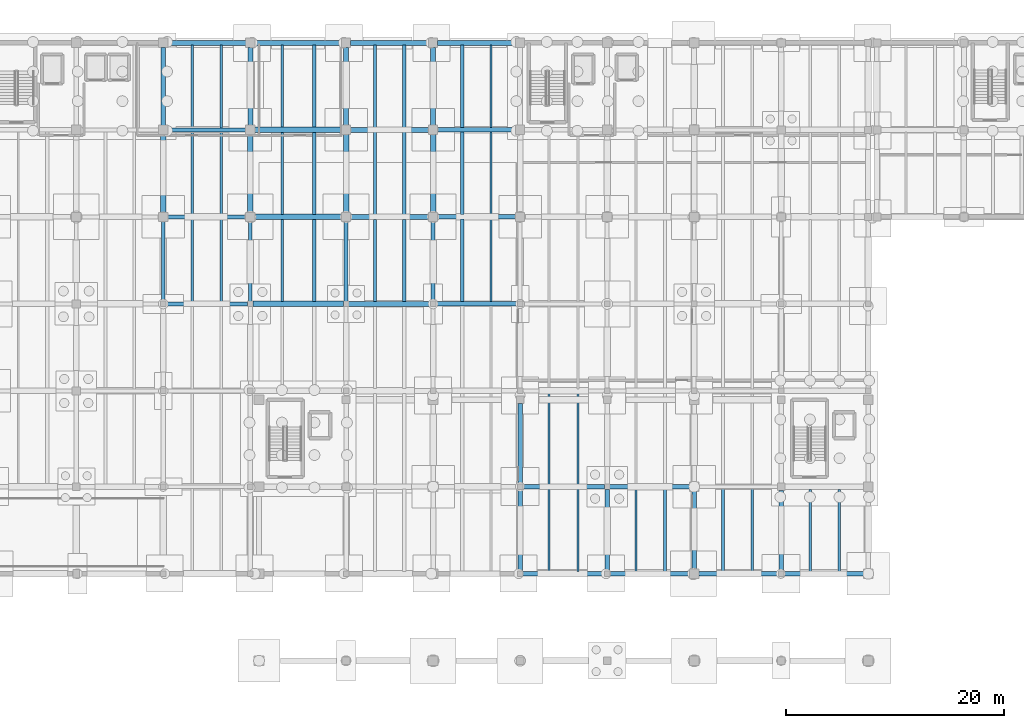
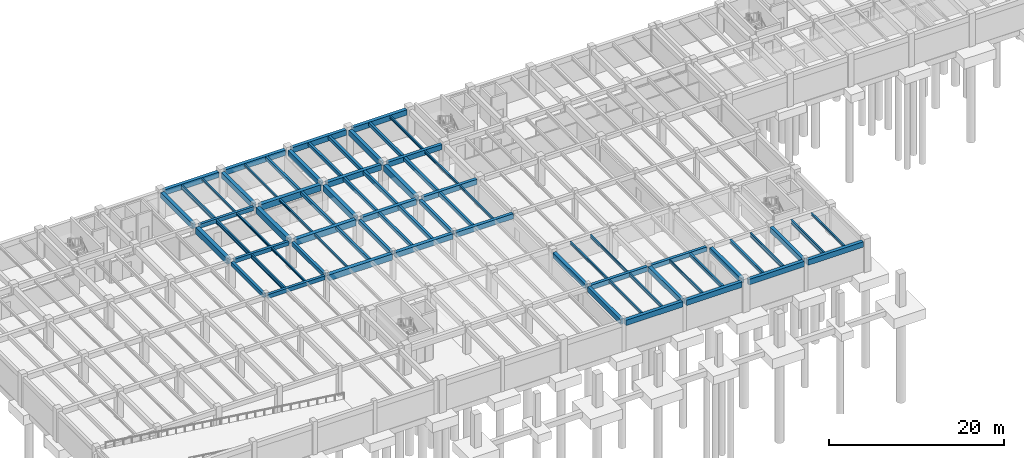
# One storey, part 10 of 25: 73 beams.
"""IFC4 building model written with IfcOpenShell, lengths in metres."""

import ifcopenshell
import ifcopenshell.guid

model = None  # the IFC model being written
_history = None  # IfcOwnerHistory: only IFC2X3 demands one
_inside = {}  # id of a spatial element -> (the spatial element, [elements in it])
_under = {}  # id of a project, library or spatial element -> (it, [spatial elements below it])
_declared = {}  # id of a project -> (the project, [libraries it declares])
_typed = {}  # id of a type object -> (the type object, [elements of that type])
_made_of = {}  # id of a material, layer set ... -> (it, [elements and type objects made of it])


def new_model(schema):
    """Start an empty IFC model of exactly this schema.

    Asked for "IFC4X3", IfcOpenShell would pick the latest addendum, in which some entities
    have other attributes; the version numbers below select the first issue.
    IFC2X3 requires an IfcOwnerHistory on every rooted entity: one is made here for all.
    """
    global model, _history
    if schema == "IFC4X3":
        model = ifcopenshell.file(schema_version=(4, 3, 0, 0))
    else:
        model = ifcopenshell.file(schema=schema)
    _inside.clear()
    _under.clear()
    _declared.clear()
    _typed.clear()
    _made_of.clear()
    _history = None
    if model.schema == "IFC2X3":
        org = make("IfcOrganization", Name="unknown")
        user = make(
            "IfcPersonAndOrganization",
            ThePerson=make("IfcPerson", FamilyName="unknown"),
            TheOrganization=org,
        )
        app = make(
            "IfcApplication",
            ApplicationDeveloper=org,
            Version="unknown",
            ApplicationFullName="unknown",
            ApplicationIdentifier="unknown",
        )
        _history = make(
            "IfcOwnerHistory",
            OwningUser=user,
            OwningApplication=app,
            ChangeAction="ADDED",
            CreationDate=0,
        )
    return model


def make(cls, **values):
    """One entity of the class cls with the attributes given. An attribute that is None is left unset."""
    return model.create_entity(
        cls, **{name: value for name, value in values.items() if value is not None}
    )


def rooted(cls, **values):
    """An entity with a GlobalId (a new one), such as an element, a storey or a relation."""
    return make(cls, GlobalId=ifcopenshell.guid.new(), OwnerHistory=_history, **values)


def si_unit(unit_type, name, prefix=None):
    """IfcSIUnit, for example si_unit("LENGTHUNIT", "METRE", prefix="MILLI")."""
    return make("IfcSIUnit", UnitType=unit_type, Prefix=prefix, Name=name)


def assignment(units):
    """IfcUnitAssignment: the units of a project."""
    return None if units is None else make("IfcUnitAssignment", Units=units)


def point(xyz):
    """IfcCartesianPoint."""
    return None if xyz is None else make("IfcCartesianPoint", Coordinates=xyz)


def direction(xyz):
    """IfcDirection."""
    return None if xyz is None else make("IfcDirection", DirectionRatios=xyz)


def frame(location, z_axis=None, x_axis=None):
    """IfcAxis2Placement3D, a coordinate frame: its origin and axes. An axis left out is left unset."""
    return make(
        "IfcAxis2Placement3D",
        Location=point(location),
        Axis=direction(z_axis),
        RefDirection=direction(x_axis),
    )


def frame_2d(location, x_axis=None):
    """IfcAxis2Placement2D, a coordinate frame in the plane: its origin and x axis."""
    return make(
        "IfcAxis2Placement2D", Location=point(location), RefDirection=direction(x_axis)
    )


def origin():
    """The frame at (0, 0, 0) with its axes left unset."""
    return frame((0.0, 0.0, 0.0))


def origin_2d():
    """The frame at (0, 0) in the plane with its x axis left unset."""
    return frame_2d((0.0, 0.0))


def place(relative_to, where):
    """IfcLocalPlacement: puts the frame where relative to a parent placement (None: the world)."""
    return make(
        "IfcLocalPlacement", PlacementRelTo=relative_to, RelativePlacement=where
    )


def context(
    kind, dimensions, precision=None, world=None, true_north=None, identifier=None
):
    """IfcGeometricRepresentationContext, for example the 3D "Model" context."""
    return make(
        "IfcGeometricRepresentationContext",
        ContextIdentifier=identifier,
        ContextType=kind,
        CoordinateSpaceDimension=dimensions,
        Precision=precision,
        WorldCoordinateSystem=world,
        TrueNorth=true_north,
    )


def subcontext(parent, identifier, kind, view, scale=None):
    """IfcGeometricRepresentationSubContext, for example "Body" below "Model"."""
    return make(
        "IfcGeometricRepresentationSubContext",
        ContextIdentifier=identifier,
        ContextType=kind,
        ParentContext=parent,
        TargetScale=scale,
        TargetView=view,
    )


def project(units=None, contexts=None):
    """IfcProject with its units and contexts."""
    return rooted(
        "IfcProject",
        Name="project",
        RepresentationContexts=contexts,
        UnitsInContext=assignment(units),
    )


def spatial(cls, under=None, at=None, **own):
    """A site, building, storey or space (cls), placed at a placement, below another one or the project."""
    s = rooted(cls, ObjectPlacement=at, **own)
    if under is not None:
        _under.setdefault(under.id(), (under, []))[1].append(s)
    return s


def profile(cls, at=None, kind="AREA", **sizes):
    """A parametric profile (cls). Its sizes go by their IFC names, for example OverallWidth=200.0."""
    return make(cls, ProfileType=kind, Position=at, **sizes)


def rectangle(**sizes):
    """IfcRectangleProfileDef."""
    return profile("IfcRectangleProfileDef", **sizes)


def i_section(**sizes):
    """IfcIShapeProfileDef."""
    return profile("IfcIShapeProfileDef", **sizes)


def extrude(swept, where, along, depth):
    """IfcExtrudedAreaSolid: the profile swept, set in the frame where, extruded along a direction by depth."""
    return make(
        "IfcExtrudedAreaSolid",
        SweptArea=swept,
        Position=where,
        ExtrudedDirection=direction(along),
        Depth=depth,
    )


def shape(context_of_items, identifier, shape_type, items):
    """IfcShapeRepresentation: the items that make up one representation, for example the "Body"."""
    return make(
        "IfcShapeRepresentation",
        ContextOfItems=context_of_items,
        RepresentationIdentifier=identifier,
        RepresentationType=shape_type,
        Items=items,
    )


def material(Name=None, Category=None):
    """IfcMaterial."""
    return make("IfcMaterial", Name=Name, Category=Category)


def material_profile(
    of_material, cross_section, Name=None, Category=None, Priority=None
):
    """IfcMaterialProfile: a cross section and its material."""
    return make(
        "IfcMaterialProfile",
        Name=Name,
        Material=of_material,
        Profile=cross_section,
        Priority=Priority,
        Category=Category,
    )


def profile_set(profiles, Name=None, composite=None):
    """IfcMaterialProfileSet."""
    return make(
        "IfcMaterialProfileSet",
        Name=Name,
        MaterialProfiles=profiles,
        CompositeProfile=composite,
    )


def made_of(thing, what):
    """Note that an element or type object is made of a material, layer set ...; save() writes the relation."""
    if what is not None:
        _made_of.setdefault(what.id(), (what, []))[1].append(thing)
    return thing


def type_object(cls, material=None, **own):
    """A type object (cls), such as IfcWallType, which elements share."""
    return made_of(rooted(cls, **own), material)


def element(
    cls,
    number,
    at=None,
    inside=None,
    cuts=None,
    type_object=None,
    material=None,
    context=None,
    identifier="Body",
    shape_type=None,
    held_by="IfcProductDefinitionShape",
    body=None,
    shapes=None,
    **own,
):
    """One element of the class cls, such as IfcWall. Its Tag is "e" and its number.

    at: its placement. inside: the storey or other place that contains it. cuts: it is an
    opening in that element (IfcRelVoidsElement). A single representation is given by context,
    identifier, shape_type and body (its items); several are given by shapes. held_by: the class
    of the entity that holds the representations. save() writes the other relations.
    """
    e = rooted(cls, Tag="e%d" % number, ObjectPlacement=at, **own)
    if body is not None:
        shapes = [shape(context, identifier, shape_type, body)]
    if shapes is not None:
        e.Representation = make(held_by, Representations=shapes)
    if inside is not None:
        _inside.setdefault(inside.id(), (inside, []))[1].append(e)
    if cuts is not None:
        rooted(
            "IfcRelVoidsElement", RelatingBuildingElement=cuts, RelatedOpeningElement=e
        )
    if type_object is not None:
        _typed.setdefault(type_object.id(), (type_object, []))[1].append(e)
    return made_of(e, material)


def aggregate(whole, parts):
    """IfcRelAggregates: a whole, such as a stair, and the parts it consists of."""
    return rooted("IfcRelAggregates", RelatingObject=whole, RelatedObjects=parts)


def save(model, path):
    """Write the relations noted so far, then the file.

    IfcRelAggregates (storeys below a building ...), IfcRelContainedInSpatialStructure (elements
    in a storey), IfcRelDefinesByType, IfcRelAssociatesMaterial and IfcRelDeclares: one each for
    every whole, place, type object, material and project.
    """
    for whole, parts in _under.values():
        aggregate(whole, parts)
    for where, things in _inside.values():
        rooted(
            "IfcRelContainedInSpatialStructure",
            RelatedElements=things,
            RelatingStructure=where,
        )
    for kind, things in _typed.values():
        rooted("IfcRelDefinesByType", RelatedObjects=things, RelatingType=kind)
    for what, things in _made_of.values():
        rooted("IfcRelAssociatesMaterial", RelatedObjects=things, RelatingMaterial=what)
    for by, libraries in _declared.values():
        rooted("IfcRelDeclares", RelatingContext=by, RelatedDefinitions=libraries)
    model.write(path)


model = new_model("IFC4")

# Units and contexts
model_context = context("Model", 3, precision=1e-05, world=origin(), true_north=direction((0.0, 1.0)))
body_context = subcontext(model_context, "Body", "Model", "MODEL_VIEW")
ifc_project = project(units=[si_unit("LENGTHUNIT", "METRE"), si_unit("AREAUNIT", "SQUARE_METRE"), si_unit("VOLUMEUNIT", "CUBIC_METRE"), si_unit("PLANEANGLEUNIT", "RADIAN"), si_unit("MASSUNIT", "GRAM", prefix="KILO")], contexts=[model_context])

# Site, building, storey
site_placement = place(None, origin())
site = spatial("IfcSite", under=ifc_project, at=site_placement, CompositionType="ELEMENT")
building_placement = place(site_placement, origin())
building = spatial("IfcBuilding", under=site, at=building_placement, Name="Tlaxcora Railside Police Headquarters", CompositionType="ELEMENT")
storey_placement = place(building_placement, frame((0.0, 0.0, -4.199951171875)))
storey = spatial("IfcBuildingStorey", under=building, at=storey_placement, Name="B1", CompositionType="ELEMENT", Elevation=-4.199951171875)

# Beams
ifc_material_1 = material(Name="Concrete C40/50", Category="concrete")
ifc_material_profile_1 = material_profile(ifc_material_1, rectangle(XDim=0.449951171875, YDim=0.75, at=origin_2d()), Name="RC450X750")
ifc_profile_set_1 = profile_set([ifc_material_profile_1], Name="Concrete C40/50")
beam_type_1 = type_object("IfcBeamType", Name="Perimeter Spandrel Beam BM-86", PredefinedType="SPANDREL", material=ifc_profile_set_1)
beam_1_placement = place(storey_placement, frame((70.239990234375, 44.0, 3.405029296875), z_axis=(1.0, 0.0, 0.0), x_axis=(0.0, 1.0, 0.0)))
element("IfcBeam", 1, at=beam_1_placement, inside=storey, type_object=beam_type_1, Name="V5 B1 X-girder Y=44.0", PredefinedType="SPANDREL", context=body_context, shape_type="SweptSolid", body=[
    extrude(rectangle(XDim=0.449951171875, YDim=0.75, at=origin_2d()), origin(), (0.0, 0.0, 1.0), 7.52001953125),
])
for number, where, z_axis, x_axis, name in (
    (2, (78.239990234375, 44.0, 3.405029296875), (1.0, 0.0, 0.0), (0.0, 1.0, 0.0), "V5 B1 X-girder Y=44.0"),
    (3, (86.43994140625, 44.0, 3.405029296875), (1.0, 0.0, 0.0), (0.0, 1.0, 0.0), "V5 B1 X-girder Y=44.0"),
    (4, (94.239990234375, 44.0, 3.405029296875), (1.0, 0.0, 0.0), (0.0, 1.0, 0.0), "V5 B1 X-girder Y=44.0"),
):
    element("IfcBeam", number, at=place(storey_placement, frame(where, z_axis=z_axis, x_axis=x_axis)), inside=storey, type_object=beam_type_1, Name=name, PredefinedType="SPANDREL", context=body_context, shape_type="SweptSolid", body=[
        extrude(rectangle(XDim=0.449951171875, YDim=0.75, at=origin_2d()), origin(), (0.0, 0.0, 1.0), 7.320068359375),
    ])
beam_2_placement = place(storey_placement, frame((37.614990234375, 92.800048828125, 3.405029296875), z_axis=(1.0, 0.0, 0.0), x_axis=(0.0, 1.0, 0.0)))
element("IfcBeam", 5, at=beam_2_placement, inside=storey, type_object=beam_type_1, Name="V5 B1 X-girder Y=92.8", PredefinedType="SPANDREL", context=body_context, shape_type="SweptSolid", body=[
    extrude(rectangle(XDim=0.449951171875, YDim=0.75, at=origin_2d()), origin(), (0.0, 0.0, 1.0), 7.169921875),
])
beam_3_placement = place(storey_placement, frame((45.614990234375, 92.800048828125, 3.405029296875), z_axis=(1.0, 0.0, 0.0), x_axis=(0.0, 1.0, 0.0)))
element("IfcBeam", 6, at=beam_3_placement, inside=storey, type_object=beam_type_1, Name="V5 B1 X-girder Y=92.8", PredefinedType="SPANDREL", context=body_context, shape_type="SweptSolid", body=[
    extrude(rectangle(XDim=0.449951171875, YDim=0.75, at=origin_2d()), origin(), (0.0, 0.0, 1.0), 7.969970703125),
])
for number, where, z_axis, x_axis, name in (
    (7, (54.4150390625, 92.800048828125, 3.405029296875), (1.0, 0.0, 0.0), (0.0, 1.0, 0.0), "V5 B1 X-girder Y=92.8"),
    (8, (62.4150390625, 92.800048828125, 3.405029296875), (1.0, 0.0, 0.0), (0.0, 1.0, 0.0), "V5 B1 X-girder Y=92.8"),
):
    element("IfcBeam", number, at=place(storey_placement, frame(where, z_axis=z_axis, x_axis=x_axis)), inside=storey, type_object=beam_type_1, Name=name, PredefinedType="SPANDREL", context=body_context, shape_type="SweptSolid", body=[
        extrude(rectangle(XDim=0.449951171875, YDim=0.75, at=origin_2d()), origin(), (0.0, 0.0, 1.0), 7.169921875),
    ])
ifc_material_profile_2 = material_profile(ifc_material_1, rectangle(XDim=0.3798828125, YDim=0.60009765625, at=origin_2d()), Name="RC380X600")
ifc_profile_set_2 = profile_set([ifc_material_profile_2], Name="Concrete C40/50")
beam_type_2 = type_object("IfcBeamType", Name="Primary Frame Girder BM-22", PredefinedType="BEAM", material=ifc_profile_set_2)
beam_4_placement = place(storey_placement, frame((78.239990234375, 52.0, 3.47998046875), z_axis=(1.0, 0.0, 0.0), x_axis=(0.0, 1.0, 0.0)))
element("IfcBeam", 9, at=beam_4_placement, inside=storey, type_object=beam_type_2, Name="V5 B1 X-girder Y=52.0", PredefinedType="BEAM", context=body_context, shape_type="SweptSolid", body=[
    extrude(rectangle(XDim=0.3798828125, YDim=0.60009765625, at=origin_2d()), origin(), (0.0, 0.0, 1.0), 7.320068359375),
])
ifc_material_profile_3 = material_profile(ifc_material_1, rectangle(XDim=0.419921875, YDim=0.699951171875, at=origin_2d()), Name="RC420X700")
ifc_profile_set_3 = profile_set([ifc_material_profile_3], Name="Concrete C40/50")
beam_type_3 = type_object("IfcBeamType", Name="Primary Frame Girder BM-35", PredefinedType="BEAM", material=ifc_profile_set_3)
beam_5_placement = place(storey_placement, frame((62.239990234375, 68.800048828125, 3.429931640625), z_axis=(1.0, 0.0, 0.0), x_axis=(0.0, 1.0, 0.0)))
element("IfcBeam", 10, at=beam_5_placement, inside=storey, type_object=beam_type_3, Name="V5 B1 X-girder Y=68.8", PredefinedType="BEAM", context=body_context, shape_type="SweptSolid", body=[
    extrude(rectangle(XDim=0.419921875, YDim=0.699951171875, at=origin_2d()), origin(), (0.0, 0.0, 1.0), 7.52001953125),
])
for number, where, z_axis, x_axis, name in (
    (11, (62.4150390625, 76.800048828125, 3.429931640625), (1.0, 0.0, 0.0), (0.0, 1.0, 0.0), "V5 B1 X-girder Y=76.8"),
    (12, (62.4150390625, 84.800048828125, 3.429931640625), (1.0, 0.0, 0.0), (0.0, 1.0, 0.0), "V5 B1 X-girder Y=84.8"),
):
    element("IfcBeam", number, at=place(storey_placement, frame(where, z_axis=z_axis, x_axis=x_axis)), inside=storey, type_object=beam_type_3, Name=name, PredefinedType="BEAM", context=body_context, shape_type="SweptSolid", body=[
        extrude(rectangle(XDim=0.419921875, YDim=0.699951171875, at=origin_2d()), origin(), (0.0, 0.0, 1.0), 7.169921875),
    ])
beam_6_placement = place(storey_placement, frame((70.0, 44.239990234375, 3.429931640625), z_axis=(0.0, 1.0, 0.0), x_axis=(-1.0, 0.0, 0.0)))
element("IfcBeam", 13, at=beam_6_placement, inside=storey, type_object=beam_type_3, Name="V5 B1 Y-girder X=70.0", PredefinedType="BEAM", context=body_context, shape_type="SweptSolid", body=[
    extrude(rectangle(XDim=0.419921875, YDim=0.699951171875, at=origin_2d()), origin(), (0.0, 0.0, 1.0), 7.52001953125),
])
beam_7_placement = place(storey_placement, frame((70.0, 52.239990234375, 3.429931640625), z_axis=(0.0, 1.0, 0.0), x_axis=(-1.0, 0.0, 0.0)))
element("IfcBeam", 14, at=beam_7_placement, inside=storey, type_object=beam_type_3, Name="V5 B1 Y-girder X=70.0", PredefinedType="BEAM", context=body_context, shape_type="SweptSolid", body=[
    extrude(rectangle(XDim=0.419921875, YDim=0.699951171875, at=origin_2d()), origin(), (0.0, 0.0, 1.0), 7.419921875),
])
beam_8_placement = place(storey_placement, frame((78.0, 44.239990234375, 3.429931640625), z_axis=(0.0, 1.0, 0.0), x_axis=(-1.0, 0.0, 0.0)))
element("IfcBeam", 15, at=beam_8_placement, inside=storey, type_object=beam_type_3, Name="V5 B1 Y-girder X=78.0", PredefinedType="BEAM", context=body_context, shape_type="SweptSolid", body=[
    extrude(rectangle(XDim=0.419921875, YDim=0.699951171875, at=origin_2d()), origin(), (0.0, 0.0, 1.0), 7.52001953125),
])
beam_9_placement = place(storey_placement, frame((86.0, 44.43994140625, 3.429931640625), z_axis=(0.0, 1.0, 0.0), x_axis=(-1.0, 0.0, 0.0)))
element("IfcBeam", 16, at=beam_9_placement, inside=storey, type_object=beam_type_3, Name="V5 B1 Y-girder X=86.0", PredefinedType="BEAM", context=body_context, shape_type="SweptSolid", body=[
    extrude(rectangle(XDim=0.419921875, YDim=0.699951171875, at=origin_2d()), origin(), (0.0, 0.0, 1.0), 7.1201171875),
])
beam_10_placement = place(storey_placement, frame((94.0, 44.239990234375, 3.429931640625), z_axis=(0.0, 1.0, 0.0), x_axis=(-1.0, 0.0, 0.0)))
element("IfcBeam", 17, at=beam_10_placement, inside=storey, type_object=beam_type_3, Name="V5 B1 Y-girder X=94.0", PredefinedType="BEAM", context=body_context, shape_type="SweptSolid", body=[
    extrude(rectangle(XDim=0.419921875, YDim=0.699951171875, at=origin_2d()), origin(), (0.0, 0.0, 1.0), 7.419921875),
])
ifc_material_profile_4 = material_profile(ifc_material_1, rectangle(XDim=0.35009765625, YDim=0.550048828125, at=origin_2d()), Name="RC350X550")
ifc_profile_set_4 = profile_set([ifc_material_profile_4], Name="Concrete C40/50")
beam_type_4 = type_object("IfcBeamType", Name="Primary Frame Girder BM-39", PredefinedType="BEAM", material=ifc_profile_set_4)
beam_11_placement = place(storey_placement, frame((37.43994140625, 68.800048828125, 3.5048828125), z_axis=(1.0, 0.0, 0.0), x_axis=(0.0, 1.0, 0.0)))
element("IfcBeam", 18, at=beam_11_placement, inside=storey, type_object=beam_type_4, Name="V5 B1 X-girder Y=68.8", PredefinedType="BEAM", context=body_context, shape_type="SweptSolid", body=[
    extrude(rectangle(XDim=0.35009765625, YDim=0.550048828125, at=origin_2d()), origin(), (0.0, 0.0, 1.0), 7.52001953125),
])
for number, where, z_axis, x_axis, name in (
    (19, (37.614990234375, 76.800048828125, 3.5048828125), (1.0, 0.0, 0.0), (0.0, 1.0, 0.0), "V5 B1 X-girder Y=76.8"),
    (20, (37.614990234375, 84.800048828125, 3.5048828125), (1.0, 0.0, 0.0), (0.0, 1.0, 0.0), "V5 B1 X-girder Y=84.8"),
):
    element("IfcBeam", number, at=place(storey_placement, frame(where, z_axis=z_axis, x_axis=x_axis)), inside=storey, type_object=beam_type_4, Name=name, PredefinedType="BEAM", context=body_context, shape_type="SweptSolid", body=[
        extrude(rectangle(XDim=0.35009765625, YDim=0.550048828125, at=origin_2d()), origin(), (0.0, 0.0, 1.0), 7.169921875),
    ])
for number, where, z_axis, x_axis, name in (
    (21, (37.199951171875, 69.0400390625, 3.5048828125), (0.0, 1.0, 0.0), (-1.0, 0.0, 0.0), "V5 B1 Y-girder X=37.2"),
    (22, (45.199951171875, 69.0400390625, 3.5048828125), (0.0, 1.0, 0.0), (-1.0, 0.0, 0.0), "V5 B1 Y-girder X=45.2"),
    (23, (54.0, 69.0400390625, 3.5048828125), (0.0, 1.0, 0.0), (-1.0, 0.0, 0.0), "V5 B1 Y-girder X=54.0"),
    (24, (62.0, 69.0400390625, 3.5048828125), (0.0, 1.0, 0.0), (-1.0, 0.0, 0.0), "V5 B1 Y-girder X=62.0"),
):
    element("IfcBeam", number, at=place(storey_placement, frame(where, z_axis=z_axis, x_axis=x_axis)), inside=storey, type_object=beam_type_4, Name=name, PredefinedType="BEAM", context=body_context, shape_type="SweptSolid", body=[
        extrude(rectangle(XDim=0.35009765625, YDim=0.550048828125, at=origin_2d()), origin(), (0.0, 0.0, 1.0), 7.344970703125),
    ])
ifc_material_profile_5 = material_profile(ifc_material_1, rectangle(XDim=0.39990234375, YDim=0.64990234375, at=origin_2d()), Name="RC400X650")
ifc_profile_set_5 = profile_set([ifc_material_profile_5], Name="Concrete C40/50")
beam_type_5 = type_object("IfcBeamType", Name="Primary Frame Girder BM-41", PredefinedType="BEAM", material=ifc_profile_set_5)
beam_12_placement = place(storey_placement, frame((70.239990234375, 52.0, 3.454833984375), z_axis=(1.0, 0.0, 0.0), x_axis=(0.0, 1.0, 0.0)))
element("IfcBeam", 25, at=beam_12_placement, inside=storey, type_object=beam_type_5, Name="V5 B1 X-girder Y=52.0", PredefinedType="BEAM", context=body_context, shape_type="SweptSolid", body=[
    extrude(rectangle(XDim=0.39990234375, YDim=0.64990234375, at=origin_2d()), origin(), (0.0, 0.0, 1.0), 7.52001953125),
])
ifc_material_profile_6 = material_profile(ifc_material_1, rectangle(XDim=0.5, YDim=0.85009765625, at=origin_2d()), Name="RC500X850")
ifc_profile_set_6 = profile_set([ifc_material_profile_6], Name="Concrete C40/50")
beam_type_6 = type_object("IfcBeamType", Name="Primary Frame Girder BM-64", PredefinedType="BEAM", material=ifc_profile_set_6)
beam_13_placement = place(storey_placement, frame((45.43994140625, 68.800048828125, 3.35498046875), z_axis=(1.0, 0.0, 0.0), x_axis=(0.0, 1.0, 0.0)))
element("IfcBeam", 26, at=beam_13_placement, inside=storey, type_object=beam_type_6, Name="V5 B1 X-girder Y=68.8", PredefinedType="BEAM", context=body_context, shape_type="SweptSolid", body=[
    extrude(rectangle(XDim=0.5, YDim=0.85009765625, at=origin_2d()), origin(), (0.0, 0.0, 1.0), 8.320068359375),
])
for number, where, z_axis, x_axis, name in (
    (27, (45.614990234375, 76.800048828125, 3.35498046875), (1.0, 0.0, 0.0), (0.0, 1.0, 0.0), "V5 B1 X-girder Y=76.8"),
    (28, (45.614990234375, 84.800048828125, 3.35498046875), (1.0, 0.0, 0.0), (0.0, 1.0, 0.0), "V5 B1 X-girder Y=84.8"),
):
    element("IfcBeam", number, at=place(storey_placement, frame(where, z_axis=z_axis, x_axis=x_axis)), inside=storey, type_object=beam_type_6, Name=name, PredefinedType="BEAM", context=body_context, shape_type="SweptSolid", body=[
        extrude(rectangle(XDim=0.5, YDim=0.85009765625, at=origin_2d()), origin(), (0.0, 0.0, 1.0), 7.969970703125),
    ])
for number, where, z_axis, x_axis, name in (
    (29, (37.199951171875, 77.215087890625, 3.35498046875), (0.0, 1.0, 0.0), (-1.0, 0.0, 0.0), "V5 B1 Y-girder X=37.2"),
    (30, (45.199951171875, 77.215087890625, 3.35498046875), (0.0, 1.0, 0.0), (-1.0, 0.0, 0.0), "V5 B1 Y-girder X=45.2"),
    (31, (54.0, 77.215087890625, 3.35498046875), (0.0, 1.0, 0.0), (-1.0, 0.0, 0.0), "V5 B1 Y-girder X=54.0"),
    (32, (62.0, 77.215087890625, 3.35498046875), (0.0, 1.0, 0.0), (-1.0, 0.0, 0.0), "V5 B1 Y-girder X=62.0"),
):
    element("IfcBeam", number, at=place(storey_placement, frame(where, z_axis=z_axis, x_axis=x_axis)), inside=storey, type_object=beam_type_6, Name=name, PredefinedType="BEAM", context=body_context, shape_type="SweptSolid", body=[
        extrude(rectangle(XDim=0.5, YDim=0.85009765625, at=origin_2d()), origin(), (0.0, 0.0, 1.0), 7.169921875),
    ])
ifc_material_profile_7 = material_profile(ifc_material_1, rectangle(XDim=0.449951171875, YDim=0.75, at=origin_2d()), Name="RC450X750")
ifc_profile_set_7 = profile_set([ifc_material_profile_7], Name="Concrete C40/50")
beam_type_7 = type_object("IfcBeamType", Name="Primary Frame Girder BM-73", PredefinedType="BEAM", material=ifc_profile_set_7)
beam_14_placement = place(storey_placement, frame((54.239990234375, 68.800048828125, 3.405029296875), z_axis=(1.0, 0.0, 0.0), x_axis=(0.0, 1.0, 0.0)))
element("IfcBeam", 33, at=beam_14_placement, inside=storey, type_object=beam_type_7, Name="V5 B1 X-girder Y=68.8", PredefinedType="BEAM", context=body_context, shape_type="SweptSolid", body=[
    extrude(rectangle(XDim=0.449951171875, YDim=0.75, at=origin_2d()), origin(), (0.0, 0.0, 1.0), 7.52001953125),
])
for number, where, z_axis, x_axis, name in (
    (34, (54.4150390625, 76.800048828125, 3.405029296875), (1.0, 0.0, 0.0), (0.0, 1.0, 0.0), "V5 B1 X-girder Y=76.8"),
    (35, (54.4150390625, 84.800048828125, 3.405029296875), (1.0, 0.0, 0.0), (0.0, 1.0, 0.0), "V5 B1 X-girder Y=84.8"),
    (36, (37.199951171875, 85.215087890625, 3.405029296875), (0.0, 1.0, 0.0), (-1.0, 0.0, 0.0), "V5 B1 Y-girder X=37.2"),
    (37, (45.199951171875, 85.215087890625, 3.405029296875), (0.0, 1.0, 0.0), (-1.0, 0.0, 0.0), "V5 B1 Y-girder X=45.2"),
    (38, (54.0, 85.215087890625, 3.405029296875), (0.0, 1.0, 0.0), (-1.0, 0.0, 0.0), "V5 B1 Y-girder X=54.0"),
    (39, (62.0, 85.215087890625, 3.405029296875), (0.0, 1.0, 0.0), (-1.0, 0.0, 0.0), "V5 B1 Y-girder X=62.0"),
):
    element("IfcBeam", number, at=place(storey_placement, frame(where, z_axis=z_axis, x_axis=x_axis)), inside=storey, type_object=beam_type_7, Name=name, PredefinedType="BEAM", context=body_context, shape_type="SweptSolid", body=[
        extrude(rectangle(XDim=0.449951171875, YDim=0.75, at=origin_2d()), origin(), (0.0, 0.0, 1.0), 7.169921875),
    ])
ifc_material_2 = material(Name="Concrete C35/45", Category="concrete")
ifc_material_profile_8 = material_profile(ifc_material_2, rectangle(XDim=0.300048828125, YDim=0.449951171875, at=origin_2d()), Name="RC300X450")
ifc_profile_set_8 = profile_set([ifc_material_profile_8], Name="Concrete C35/45")
beam_type_8 = type_object("IfcBeamType", Name="Secondary Floor Joist BM-27", PredefinedType="JOIST", material=ifc_profile_set_8)
beam_15_placement = place(storey_placement, frame((51.066650390625, 69.0419921875, 3.554931640625), z_axis=(0.0, 1.0, 0.0), x_axis=(-1.0, 0.0, 0.0)))
element("IfcBeam", 40, at=beam_15_placement, inside=storey, type_object=beam_type_8, Name="V5 B1 floor joist X=51.07", PredefinedType="JOIST", context=body_context, shape_type="SweptSolid", body=[
    extrude(rectangle(XDim=0.300048828125, YDim=0.449951171875, at=origin_2d()), origin(), (0.0, 0.0, 1.0), 7.51611328125),
])
beam_16_placement = place(storey_placement, frame((56.666748046875, 69.01708984375, 3.554931640625), z_axis=(0.0, 1.0, 0.0), x_axis=(-1.0, 0.0, 0.0)))
element("IfcBeam", 41, at=beam_16_placement, inside=storey, type_object=beam_type_8, Name="V5 B1 floor joist X=56.67", PredefinedType="JOIST", context=body_context, shape_type="SweptSolid", body=[
    extrude(rectangle(XDim=0.300048828125, YDim=0.449951171875, at=origin_2d()), origin(), (0.0, 0.0, 1.0), 7.56591796875),
])
beam_17_placement = place(storey_placement, frame((51.066650390625, 77.0419921875, 3.554931640625), z_axis=(0.0, 1.0, 0.0), x_axis=(-1.0, 0.0, 0.0)))
element("IfcBeam", 42, at=beam_17_placement, inside=storey, type_object=beam_type_8, Name="V5 B1 floor joist X=51.07", PredefinedType="JOIST", context=body_context, shape_type="SweptSolid", body=[
    extrude(rectangle(XDim=0.300048828125, YDim=0.449951171875, at=origin_2d()), origin(), (0.0, 0.0, 1.0), 7.51611328125),
])
beam_18_placement = place(storey_placement, frame((56.666748046875, 77.01708984375, 3.554931640625), z_axis=(0.0, 1.0, 0.0), x_axis=(-1.0, 0.0, 0.0)))
element("IfcBeam", 43, at=beam_18_placement, inside=storey, type_object=beam_type_8, Name="V5 B1 floor joist X=56.67", PredefinedType="JOIST", context=body_context, shape_type="SweptSolid", body=[
    extrude(rectangle(XDim=0.300048828125, YDim=0.449951171875, at=origin_2d()), origin(), (0.0, 0.0, 1.0), 7.56591796875),
])
beam_19_placement = place(storey_placement, frame((51.066650390625, 85.0419921875, 3.554931640625), z_axis=(0.0, 1.0, 0.0), x_axis=(-1.0, 0.0, 0.0)))
element("IfcBeam", 44, at=beam_19_placement, inside=storey, type_object=beam_type_8, Name="V5 B1 floor joist X=51.07", PredefinedType="JOIST", context=body_context, shape_type="SweptSolid", body=[
    extrude(rectangle(XDim=0.300048828125, YDim=0.449951171875, at=origin_2d()), origin(), (0.0, 0.0, 1.0), 7.541015625),
])
beam_20_placement = place(storey_placement, frame((56.666748046875, 85.01708984375, 3.554931640625), z_axis=(0.0, 1.0, 0.0), x_axis=(-1.0, 0.0, 0.0)))
element("IfcBeam", 45, at=beam_20_placement, inside=storey, type_object=beam_type_8, Name="V5 B1 floor joist X=56.67", PredefinedType="JOIST", context=body_context, shape_type="SweptSolid", body=[
    extrude(rectangle(XDim=0.300048828125, YDim=0.449951171875, at=origin_2d()), origin(), (0.0, 0.0, 1.0), 7.56591796875),
])
ifc_material_3 = material(Name="Steel ASTM A992 Grade 50", Category="steel")
ifc_material_profile_9 = material_profile(ifc_material_3, i_section(OverallWidth=0.280029296875, OverallDepth=0.4619140625, WebThickness=0.0107421875, FlangeThickness=0.017333984375, at=origin_2d()), Name="W18X76")
ifc_profile_set_9 = profile_set([ifc_material_profile_9], Name="Steel ASTM A992 Grade 50")
beam_type_9 = type_object("IfcBeamType", Name="Secondary Floor Joist BM-44", PredefinedType="JOIST", material=ifc_profile_set_9)
beam_21_placement = place(storey_placement, frame((83.333251953125, 44.217041015625, 3.549072265625), z_axis=(0.0, 1.0, 0.0), x_axis=(-1.0, 0.0, 0.0)))
element("IfcBeam", 46, at=beam_21_placement, inside=storey, type_object=beam_type_9, Name="V5 B1 floor joist X=83.33", PredefinedType="JOIST", context=body_context, shape_type="SweptSolid", body=[
    extrude(i_section(OverallWidth=0.280029296875, OverallDepth=0.4619140625, WebThickness=0.0107421875, FlangeThickness=0.017333984375, at=origin_2d()), origin(), (0.0, 0.0, 1.0), 7.60107421875),
])
beam_22_placement = place(storey_placement, frame((88.666748046875, 44.217041015625, 3.549072265625), z_axis=(0.0, 1.0, 0.0), x_axis=(-1.0, 0.0, 0.0)))
element("IfcBeam", 47, at=beam_22_placement, inside=storey, type_object=beam_type_9, Name="V5 B1 floor joist X=88.67", PredefinedType="JOIST", context=body_context, shape_type="SweptSolid", body=[
    extrude(i_section(OverallWidth=0.280029296875, OverallDepth=0.4619140625, WebThickness=0.0107421875, FlangeThickness=0.017333984375, at=origin_2d()), origin(), (0.0, 0.0, 1.0), 7.615966796875),
])
ifc_material_profile_10 = material_profile(ifc_material_3, i_section(OverallWidth=0.2041015625, OverallDepth=0.35009765625, WebThickness=0.008544921875, FlangeThickness=0.01513671875, at=origin_2d()), Name="W14X48")
ifc_profile_set_10 = profile_set([ifc_material_profile_10], Name="Steel ASTM A992 Grade 50")
beam_type_10 = type_object("IfcBeamType", Name="Secondary Floor Joist BM-65", PredefinedType="JOIST", material=ifc_profile_set_10)
beam_23_placement = place(storey_placement, frame((72.666748046875, 44.217041015625, 3.60498046875), z_axis=(0.0, 1.0, 0.0), x_axis=(-1.0, 0.0, 0.0)))
element("IfcBeam", 48, at=beam_23_placement, inside=storey, type_object=beam_type_10, Name="V5 B1 floor joist X=72.67", PredefinedType="JOIST", context=body_context, shape_type="SweptSolid", body=[
    extrude(i_section(OverallWidth=0.2041015625, OverallDepth=0.35009765625, WebThickness=0.008544921875, FlangeThickness=0.01513671875, at=origin_2d()), origin(), (0.0, 0.0, 1.0), 7.591064453125),
])
beam_24_placement = place(storey_placement, frame((72.666748046875, 52.19189453125, 3.60498046875), z_axis=(0.0, 1.0, 0.0), x_axis=(-1.0, 0.0, 0.0)))
element("IfcBeam", 49, at=beam_24_placement, inside=storey, type_object=beam_type_10, Name="V5 B1 floor joist X=72.67", PredefinedType="JOIST", context=body_context, shape_type="SweptSolid", body=[
    extrude(i_section(OverallWidth=0.2041015625, OverallDepth=0.35009765625, WebThickness=0.008544921875, FlangeThickness=0.01513671875, at=origin_2d()), origin(), (0.0, 0.0, 1.0), 8.416015625),
])
for number, where, z_axis, x_axis, name in (
    (50, (67.333251953125, 69.001953125, 3.60498046875), (0.0, 1.0, 0.0), (-1.0, 0.0, 0.0), "V5 B1 floor joist X=67.33"),
    (51, (67.333251953125, 77.001953125, 3.60498046875), (0.0, 1.0, 0.0), (-1.0, 0.0, 0.0), "V5 B1 floor joist X=67.33"),
):
    element("IfcBeam", number, at=place(storey_placement, frame(where, z_axis=z_axis, x_axis=x_axis)), inside=storey, type_object=beam_type_10, Name=name, PredefinedType="JOIST", context=body_context, shape_type="SweptSolid", body=[
        extrude(i_section(OverallWidth=0.2041015625, OverallDepth=0.35009765625, WebThickness=0.008544921875, FlangeThickness=0.01513671875, at=origin_2d()), origin(), (0.0, 0.0, 1.0), 7.595947265625),
    ])
beam_25_placement = place(storey_placement, frame((67.333251953125, 85.001953125, 3.60498046875), z_axis=(0.0, 1.0, 0.0), x_axis=(-1.0, 0.0, 0.0)))
element("IfcBeam", 52, at=beam_25_placement, inside=storey, type_object=beam_type_10, Name="V5 B1 floor joist X=67.33", PredefinedType="JOIST", context=body_context, shape_type="SweptSolid", body=[
    extrude(i_section(OverallWidth=0.2041015625, OverallDepth=0.35009765625, WebThickness=0.008544921875, FlangeThickness=0.01513671875, at=origin_2d()), origin(), (0.0, 0.0, 1.0), 7.5810546875),
])
ifc_material_profile_11 = material_profile(ifc_material_3, i_section(OverallWidth=0.180908203125, OverallDepth=0.4169921875, WebThickness=0.010009765625, FlangeThickness=0.018310546875, at=origin_2d()), Name="W16X57")
ifc_profile_set_11 = profile_set([ifc_material_profile_11], Name="Steel ASTM A992 Grade 50")
beam_type_11 = type_object("IfcBeamType", Name="Secondary Floor Joist BM-84", PredefinedType="JOIST", material=ifc_profile_set_11)
beam_26_placement = place(storey_placement, frame((75.333251953125, 44.217041015625, 3.571533203125), z_axis=(0.0, 1.0, 0.0), x_axis=(-1.0, 0.0, 0.0)))
element("IfcBeam", 53, at=beam_26_placement, inside=storey, type_object=beam_type_11, Name="V5 B1 floor joist X=75.33", PredefinedType="JOIST", context=body_context, shape_type="SweptSolid", body=[
    extrude(i_section(OverallWidth=0.180908203125, OverallDepth=0.4169921875, WebThickness=0.010009765625, FlangeThickness=0.018310546875, at=origin_2d()), origin(), (0.0, 0.0, 1.0), 7.591064453125),
])
beam_27_placement = place(storey_placement, frame((80.666748046875, 44.217041015625, 3.571533203125), z_axis=(0.0, 1.0, 0.0), x_axis=(-1.0, 0.0, 0.0)))
element("IfcBeam", 54, at=beam_27_placement, inside=storey, type_object=beam_type_11, Name="V5 B1 floor joist X=80.67", PredefinedType="JOIST", context=body_context, shape_type="SweptSolid", body=[
    extrude(i_section(OverallWidth=0.180908203125, OverallDepth=0.4169921875, WebThickness=0.010009765625, FlangeThickness=0.018310546875, at=origin_2d()), origin(), (0.0, 0.0, 1.0), 7.60107421875),
])
beam_28_placement = place(storey_placement, frame((75.333251953125, 52.19189453125, 3.571533203125), z_axis=(0.0, 1.0, 0.0), x_axis=(-1.0, 0.0, 0.0)))
element("IfcBeam", 55, at=beam_28_placement, inside=storey, type_object=beam_type_11, Name="V5 B1 floor joist X=75.33", PredefinedType="JOIST", context=body_context, shape_type="SweptSolid", body=[
    extrude(i_section(OverallWidth=0.180908203125, OverallDepth=0.4169921875, WebThickness=0.010009765625, FlangeThickness=0.018310546875, at=origin_2d()), origin(), (0.0, 0.0, 1.0), 8.416015625),
])
ifc_material_profile_12 = material_profile(ifc_material_2, rectangle(XDim=0.320068359375, YDim=0.5, at=origin_2d()), Name="RC320X500")
ifc_profile_set_12 = profile_set([ifc_material_profile_12], Name="Concrete C35/45")
beam_type_12 = type_object("IfcBeamType", Name="Secondary Floor Joist BM-88", PredefinedType="JOIST", material=ifc_profile_set_12)
beam_29_placement = place(storey_placement, frame((59.333251953125, 69.01708984375, 3.530029296875), z_axis=(0.0, 1.0, 0.0), x_axis=(-1.0, 0.0, 0.0)))
element("IfcBeam", 56, at=beam_29_placement, inside=storey, type_object=beam_type_12, Name="V5 B1 floor joist X=59.33", PredefinedType="JOIST", context=body_context, shape_type="SweptSolid", body=[
    extrude(rectangle(XDim=0.320068359375, YDim=0.5, at=origin_2d()), origin(), (0.0, 0.0, 1.0), 7.56591796875),
])
beam_30_placement = place(storey_placement, frame((64.666748046875, 69.001953125, 3.530029296875), z_axis=(0.0, 1.0, 0.0), x_axis=(-1.0, 0.0, 0.0)))
element("IfcBeam", 57, at=beam_30_placement, inside=storey, type_object=beam_type_12, Name="V5 B1 floor joist X=64.67", PredefinedType="JOIST", context=body_context, shape_type="SweptSolid", body=[
    extrude(rectangle(XDim=0.320068359375, YDim=0.5, at=origin_2d()), origin(), (0.0, 0.0, 1.0), 7.595947265625),
])
beam_31_placement = place(storey_placement, frame((59.333251953125, 77.01708984375, 3.530029296875), z_axis=(0.0, 1.0, 0.0), x_axis=(-1.0, 0.0, 0.0)))
element("IfcBeam", 58, at=beam_31_placement, inside=storey, type_object=beam_type_12, Name="V5 B1 floor joist X=59.33", PredefinedType="JOIST", context=body_context, shape_type="SweptSolid", body=[
    extrude(rectangle(XDim=0.320068359375, YDim=0.5, at=origin_2d()), origin(), (0.0, 0.0, 1.0), 7.56591796875),
])
beam_32_placement = place(storey_placement, frame((64.666748046875, 77.001953125, 3.530029296875), z_axis=(0.0, 1.0, 0.0), x_axis=(-1.0, 0.0, 0.0)))
element("IfcBeam", 59, at=beam_32_placement, inside=storey, type_object=beam_type_12, Name="V5 B1 floor joist X=64.67", PredefinedType="JOIST", context=body_context, shape_type="SweptSolid", body=[
    extrude(rectangle(XDim=0.320068359375, YDim=0.5, at=origin_2d()), origin(), (0.0, 0.0, 1.0), 7.595947265625),
])
beam_33_placement = place(storey_placement, frame((59.333251953125, 85.01708984375, 3.530029296875), z_axis=(0.0, 1.0, 0.0), x_axis=(-1.0, 0.0, 0.0)))
element("IfcBeam", 60, at=beam_33_placement, inside=storey, type_object=beam_type_12, Name="V5 B1 floor joist X=59.33", PredefinedType="JOIST", context=body_context, shape_type="SweptSolid", body=[
    extrude(rectangle(XDim=0.320068359375, YDim=0.5, at=origin_2d()), origin(), (0.0, 0.0, 1.0), 7.56591796875),
])
beam_34_placement = place(storey_placement, frame((64.666748046875, 85.001953125, 3.530029296875), z_axis=(0.0, 1.0, 0.0), x_axis=(-1.0, 0.0, 0.0)))
element("IfcBeam", 61, at=beam_34_placement, inside=storey, type_object=beam_type_12, Name="V5 B1 floor joist X=64.67", PredefinedType="JOIST", context=body_context, shape_type="SweptSolid", body=[
    extrude(rectangle(XDim=0.320068359375, YDim=0.5, at=origin_2d()), origin(), (0.0, 0.0, 1.0), 7.5810546875),
])
ifc_material_profile_13 = material_profile(ifc_material_3, i_section(OverallWidth=0.202880859375, OverallDepth=0.302978515625, WebThickness=0.007568359375, FlangeThickness=0.01318359375, at=origin_2d()), Name="W12X40")
ifc_profile_set_13 = profile_set([ifc_material_profile_13], Name="Steel ASTM A992 Grade 50")
beam_type_13 = type_object("IfcBeamType", Name="Secondary Floor Joist BM-96", PredefinedType="JOIST", material=ifc_profile_set_13)
beam_35_placement = place(storey_placement, frame((99.333251953125, 44.217041015625, 3.62841796875), z_axis=(0.0, 1.0, 0.0), x_axis=(-1.0, 0.0, 0.0)))
element("IfcBeam", 62, at=beam_35_placement, inside=storey, type_object=beam_type_13, Name="V5 B1 floor joist X=99.33", PredefinedType="JOIST", context=body_context, shape_type="SweptSolid", body=[
    extrude(i_section(OverallWidth=0.202880859375, OverallDepth=0.302978515625, WebThickness=0.007568359375, FlangeThickness=0.01318359375, at=origin_2d()), origin(), (0.0, 0.0, 1.0), 7.541015625),
])
beam_36_placement = place(storey_placement, frame((42.533203125, 68.967041015625, 3.62841796875), z_axis=(0.0, 1.0, 0.0), x_axis=(-1.0, 0.0, 0.0)))
element("IfcBeam", 63, at=beam_36_placement, inside=storey, type_object=beam_type_13, Name="V5 B1 floor joist X=42.53", PredefinedType="JOIST", context=body_context, shape_type="SweptSolid", body=[
    extrude(i_section(OverallWidth=0.202880859375, OverallDepth=0.302978515625, WebThickness=0.007568359375, FlangeThickness=0.01318359375, at=origin_2d()), origin(), (0.0, 0.0, 1.0), 7.666015625),
])
beam_37_placement = place(storey_placement, frame((48.13330078125, 69.0419921875, 3.62841796875), z_axis=(0.0, 1.0, 0.0), x_axis=(-1.0, 0.0, 0.0)))
element("IfcBeam", 64, at=beam_37_placement, inside=storey, type_object=beam_type_13, Name="V5 B1 floor joist X=48.13", PredefinedType="JOIST", context=body_context, shape_type="SweptSolid", body=[
    extrude(i_section(OverallWidth=0.202880859375, OverallDepth=0.302978515625, WebThickness=0.007568359375, FlangeThickness=0.01318359375, at=origin_2d()), origin(), (0.0, 0.0, 1.0), 7.51611328125),
])
beam_38_placement = place(storey_placement, frame((42.533203125, 76.967041015625, 3.62841796875), z_axis=(0.0, 1.0, 0.0), x_axis=(-1.0, 0.0, 0.0)))
element("IfcBeam", 65, at=beam_38_placement, inside=storey, type_object=beam_type_13, Name="V5 B1 floor joist X=42.53", PredefinedType="JOIST", context=body_context, shape_type="SweptSolid", body=[
    extrude(i_section(OverallWidth=0.202880859375, OverallDepth=0.302978515625, WebThickness=0.007568359375, FlangeThickness=0.01318359375, at=origin_2d()), origin(), (0.0, 0.0, 1.0), 7.666015625),
])
beam_39_placement = place(storey_placement, frame((48.13330078125, 77.0419921875, 3.62841796875), z_axis=(0.0, 1.0, 0.0), x_axis=(-1.0, 0.0, 0.0)))
element("IfcBeam", 66, at=beam_39_placement, inside=storey, type_object=beam_type_13, Name="V5 B1 floor joist X=48.13", PredefinedType="JOIST", context=body_context, shape_type="SweptSolid", body=[
    extrude(i_section(OverallWidth=0.202880859375, OverallDepth=0.302978515625, WebThickness=0.007568359375, FlangeThickness=0.01318359375, at=origin_2d()), origin(), (0.0, 0.0, 1.0), 7.51611328125),
])
beam_40_placement = place(storey_placement, frame((42.533203125, 84.967041015625, 3.62841796875), z_axis=(0.0, 1.0, 0.0), x_axis=(-1.0, 0.0, 0.0)))
element("IfcBeam", 67, at=beam_40_placement, inside=storey, type_object=beam_type_13, Name="V5 B1 floor joist X=42.53", PredefinedType="JOIST", context=body_context, shape_type="SweptSolid", body=[
    extrude(i_section(OverallWidth=0.202880859375, OverallDepth=0.302978515625, WebThickness=0.007568359375, FlangeThickness=0.01318359375, at=origin_2d()), origin(), (0.0, 0.0, 1.0), 7.615966796875),
])
beam_41_placement = place(storey_placement, frame((48.13330078125, 85.0419921875, 3.62841796875), z_axis=(0.0, 1.0, 0.0), x_axis=(-1.0, 0.0, 0.0)))
element("IfcBeam", 68, at=beam_41_placement, inside=storey, type_object=beam_type_13, Name="V5 B1 floor joist X=48.13", PredefinedType="JOIST", context=body_context, shape_type="SweptSolid", body=[
    extrude(i_section(OverallWidth=0.202880859375, OverallDepth=0.302978515625, WebThickness=0.007568359375, FlangeThickness=0.01318359375, at=origin_2d()), origin(), (0.0, 0.0, 1.0), 7.541015625),
])
ifc_material_profile_14 = material_profile(ifc_material_3, i_section(OverallWidth=0.214111328125, OverallDepth=0.549072265625, WebThickness=0.0146484375, FlangeThickness=0.023681640625, at=origin_2d()), Name="W21X93")
ifc_profile_set_14 = profile_set([ifc_material_profile_14], Name="Steel ASTM A992 Grade 50")
beam_type_14 = type_object("IfcBeamType", Name="Secondary Floor Joist BM-97", PredefinedType="JOIST", material=ifc_profile_set_14)
beam_42_placement = place(storey_placement, frame((91.333251953125, 44.217041015625, 3.50537109375), z_axis=(0.0, 1.0, 0.0), x_axis=(-1.0, 0.0, 0.0)))
element("IfcBeam", 69, at=beam_42_placement, inside=storey, type_object=beam_type_14, Name="V5 B1 floor joist X=91.33", PredefinedType="JOIST", context=body_context, shape_type="SweptSolid", body=[
    extrude(i_section(OverallWidth=0.214111328125, OverallDepth=0.549072265625, WebThickness=0.0146484375, FlangeThickness=0.023681640625, at=origin_2d()), origin(), (0.0, 0.0, 1.0), 7.615966796875),
])
beam_43_placement = place(storey_placement, frame((96.666748046875, 44.217041015625, 3.50537109375), z_axis=(0.0, 1.0, 0.0), x_axis=(-1.0, 0.0, 0.0)))
element("IfcBeam", 70, at=beam_43_placement, inside=storey, type_object=beam_type_14, Name="V5 B1 floor joist X=96.67", PredefinedType="JOIST", context=body_context, shape_type="SweptSolid", body=[
    extrude(i_section(OverallWidth=0.214111328125, OverallDepth=0.549072265625, WebThickness=0.0146484375, FlangeThickness=0.023681640625, at=origin_2d()), origin(), (0.0, 0.0, 1.0), 7.541015625),
])
for number, where, z_axis, x_axis, name in (
    (71, (39.86669921875, 68.967041015625, 3.50537109375), (0.0, 1.0, 0.0), (-1.0, 0.0, 0.0), "V5 B1 floor joist X=39.87"),
    (72, (39.86669921875, 76.967041015625, 3.50537109375), (0.0, 1.0, 0.0), (-1.0, 0.0, 0.0), "V5 B1 floor joist X=39.87"),
):
    element("IfcBeam", number, at=place(storey_placement, frame(where, z_axis=z_axis, x_axis=x_axis)), inside=storey, type_object=beam_type_14, Name=name, PredefinedType="JOIST", context=body_context, shape_type="SweptSolid", body=[
        extrude(i_section(OverallWidth=0.214111328125, OverallDepth=0.549072265625, WebThickness=0.0146484375, FlangeThickness=0.023681640625, at=origin_2d()), origin(), (0.0, 0.0, 1.0), 7.666015625),
    ])
beam_44_placement = place(storey_placement, frame((39.86669921875, 84.967041015625, 3.50537109375), z_axis=(0.0, 1.0, 0.0), x_axis=(-1.0, 0.0, 0.0)))
element("IfcBeam", 73, at=beam_44_placement, inside=storey, type_object=beam_type_14, Name="V5 B1 floor joist X=39.87", PredefinedType="JOIST", context=body_context, shape_type="SweptSolid", body=[
    extrude(i_section(OverallWidth=0.214111328125, OverallDepth=0.549072265625, WebThickness=0.0146484375, FlangeThickness=0.023681640625, at=origin_2d()), origin(), (0.0, 0.0, 1.0), 7.615966796875),
])

save(model, "model.ifc")
